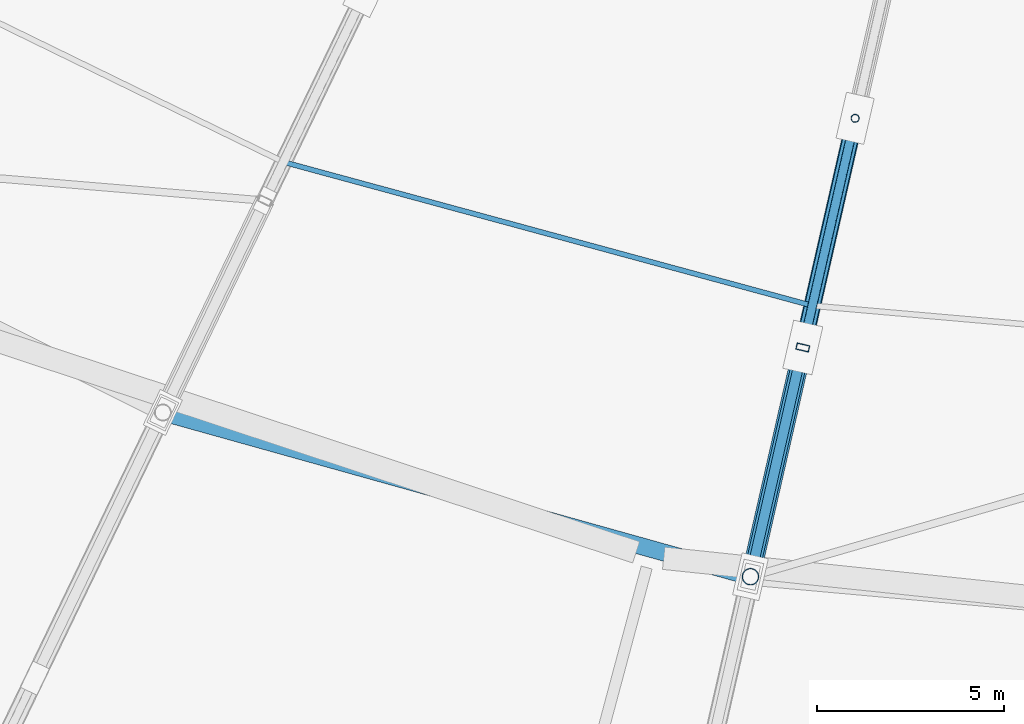
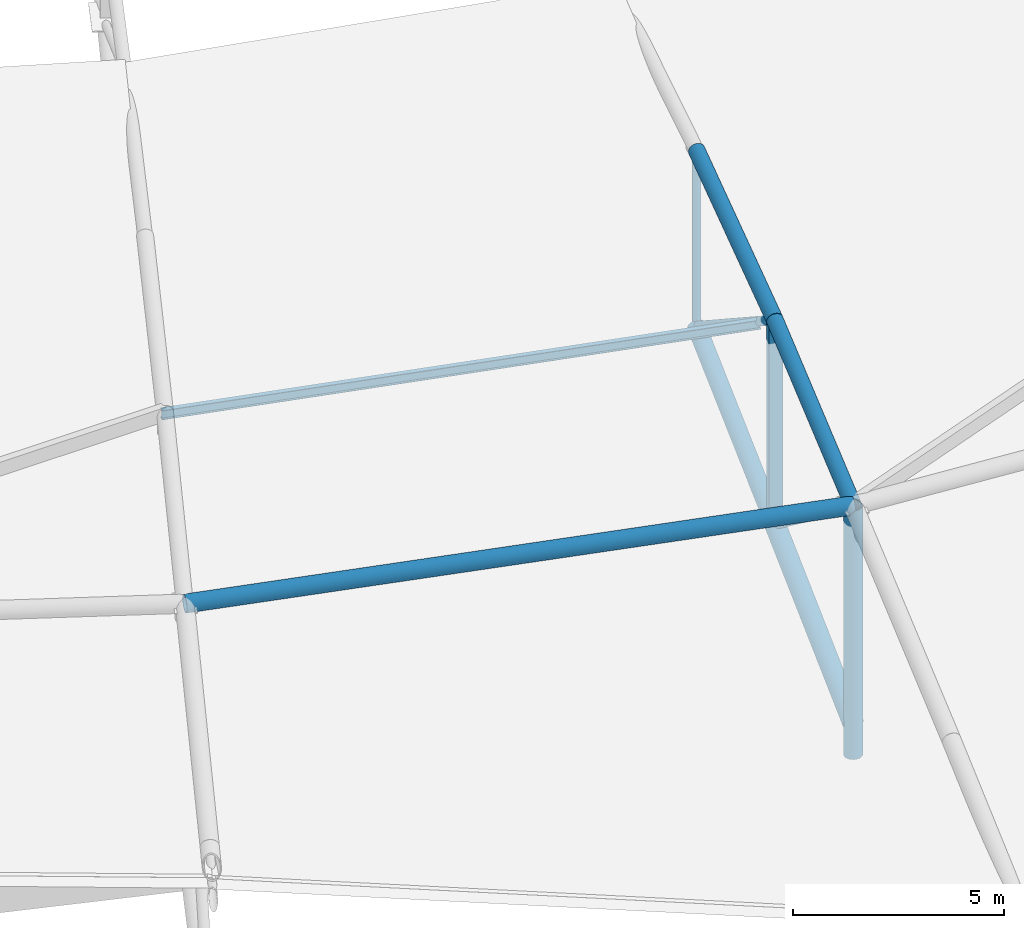
# One storey, part 14 of 108: 11 members.
"""IFC4 building model written with IfcOpenShell, lengths in metres."""

from ifc_helpers import new_model, si_unit, direction, frame, origin, origin_2d, place, context, subcontext, project, spatial, hollow_rectangle, hollow_circle, i_section, extrude, material, material_profile, profile_set, type_object, element, save


model = new_model("IFC4")

# Units and contexts
model_context = context("Model", 3, precision=1e-05, world=origin(), true_north=direction((0.0, 1.0)))
body_context = subcontext(model_context, "Body", "Model", "MODEL_VIEW")
ifc_project = project(units=[si_unit("LENGTHUNIT", "METRE"), si_unit("AREAUNIT", "SQUARE_METRE"), si_unit("VOLUMEUNIT", "CUBIC_METRE"), si_unit("PLANEANGLEUNIT", "RADIAN"), si_unit("MASSUNIT", "GRAM", prefix="KILO")], contexts=[model_context])

# Site, building, storey
site_placement = place(None, origin())
site = spatial("IfcSite", under=ifc_project, at=site_placement, CompositionType="ELEMENT")
building_placement = place(site_placement, origin())
building = spatial("IfcBuilding", under=site, at=building_placement, Name="Zevraka Park Crest Stadium", CompositionType="ELEMENT")
storey_placement = place(building_placement, frame((0.0, 0.0, 29.39990234375)))
storey = spatial("IfcBuildingStorey", under=building, at=storey_placement, Name="RF", CompositionType="ELEMENT", Elevation=29.39990234375)

# Members
ifc_material_1 = material(Name="Steel S355", Category="steel")
ifc_material_profile_1 = material_profile(ifc_material_1, i_section(OverallWidth=0.135009765625, OverallDepth=0.27001953125, WebThickness=0.006591796875, FlangeThickness=0.01025390625, at=origin_2d()), Name="IPE 270")
ifc_profile_set_1 = profile_set([ifc_material_profile_1], Name="Steel S355")
member_type_1 = type_object("IfcMemberType", Name="PR04", PredefinedType="PURLIN", material=ifc_profile_set_1)
member_1_placement = place(storey_placement, frame((82.907958984375, 45.10400390625, 7.488037109375), z_axis=(0.965023073694, -0.26216496188, 0.0), x_axis=(0.26216496188, 0.965023073694, 0.0)))
element("IfcMember", 1, at=member_1_placement, inside=storey, type_object=member_type_1, Name="Canopy Roof Purlin PR04 OUTER-20-2", PredefinedType="PURLIN", context=body_context, shape_type="SweptSolid", body=[
    extrude(i_section(OverallWidth=0.135009765625, OverallDepth=0.27001953125, WebThickness=0.006591796875, FlangeThickness=0.01025390625, at=origin_2d()), origin(), (0.0, 0.0, 1.0), 14.685791015625),
])
ifc_material_2 = material(Name="Steel S355", Category="steel")
ifc_material_profile_2 = material_profile(ifc_material_2, hollow_circle(Radius=0.25390625, WallThickness=0.030029296875, at=origin_2d()), Name="CHS 508.0x30")
ifc_profile_set_2 = profile_set([ifc_material_profile_2], Name="Steel S355")
member_type_2 = type_object("IfcMemberType", Name="TC01", PredefinedType="CHORD", material=ifc_profile_set_2)
member_2_placement = place(storey_placement, frame((95.422119140625, 33.991943359375, 0.900146484375), z_axis=(0.216071602528, 0.946696164472, 0.238913027595), x_axis=(-0.974929167571, 0.222515433667, 0.0)))
element("IfcMember", 2, at=member_2_placement, inside=storey, type_object=member_type_2, Name="Roof Truss Bottom Chord TC01 T21-3", PredefinedType="CHORD", context=body_context, shape_type="SweptSolid", body=[
    extrude(hollow_circle(Radius=0.25390625, WallThickness=0.030029296875, at=origin_2d()), origin(), (0.0, 0.0, 1.0), 6.488037109375),
])
ifc_material_3 = material(Name="Steel S355", Category="steel")
ifc_material_profile_3 = material_profile(ifc_material_3, hollow_circle(Radius=0.228515625, WallThickness=0.02490234375, at=origin_2d()), Name="CHS 457.0x25")
ifc_profile_set_3 = profile_set([ifc_material_profile_3], Name="Steel S355")
member_type_3 = type_object("IfcMemberType", Name="TC02", PredefinedType="CHORD", material=ifc_profile_set_3)
member_3_placement = place(storey_placement, frame((95.422119140625, 33.991943359375, 0.0), z_axis=(0.0, 0.0, 1.0), x_axis=(0.222569549971, 0.974916814618, 0.0)))
element("IfcMember", 3, at=member_3_placement, inside=storey, type_object=member_type_3, Name="Roof Truss Anchor Strut TC02 T21-2", PredefinedType="CHORD", context=body_context, shape_type="SweptSolid", body=[
    extrude(hollow_circle(Radius=0.228515625, WallThickness=0.02490234375, at=origin_2d()), origin(), (0.0, 0.0, 1.0), 7.2001953125),
])
member_4_placement = place(storey_placement, frame((96.823974609375, 40.134033203125, 2.4501953125), z_axis=(0.2165081374, 0.948405922439, 0.231625630539), x_axis=(-0.974918840686, 0.222560675043, 0.0)))
element("IfcMember", 4, at=member_4_placement, inside=storey, type_object=member_type_3, Name="Roof Truss Bottom Chord TC02 T21-4", PredefinedType="CHORD", context=body_context, shape_type="SweptSolid", body=[
    extrude(hollow_circle(Radius=0.228515625, WallThickness=0.02490234375, at=origin_2d()), origin(), (0.0, 0.0, 1.0), 6.47607421875),
])
member_5_placement = place(storey_placement, frame((79.676025390625, 38.39208984375, 7.2001953125), z_axis=(0.96310300545, -0.269133054255, 0.0), x_axis=(0.269133054255, 0.96310300545, 0.0)))
element("IfcMember", 5, at=member_5_placement, inside=storey, type_object=member_type_3, Name="Roof Main Bowl-Rim Ring Chord TC02 20", PredefinedType="CHORD", context=body_context, shape_type="SweptSolid", body=[
    extrude(hollow_circle(Radius=0.228515625, WallThickness=0.02490234375, at=origin_2d()), origin(), (0.0, 0.0, 1.0), 16.349365234375),
])
ifc_material_4 = material(Name="Steel S355", Category="steel")
ifc_material_profile_4 = material_profile(ifc_material_4, hollow_circle(Radius=0.203125, WallThickness=0.02001953125, at=origin_2d()), Name="CHS 406.4x20")
ifc_profile_set_4 = profile_set([ifc_material_profile_4], Name="Steel S355")
member_type_4 = type_object("IfcMemberType", Name="TC03", PredefinedType="CHORD", material=ifc_profile_set_4)
member_6_placement = place(storey_placement, frame((95.422119140625, 33.991943359375, 7.2001953125), z_axis=(0.21889903057, 0.959084258287, 0.179556676069), x_axis=(-0.974929167571, 0.222515433667, 0.0)))
element("IfcMember", 6, at=member_6_placement, inside=storey, type_object=member_type_4, Name="Roof Truss Top Chord TC03 T21-3", PredefinedType="CHORD", context=body_context, shape_type="SweptSolid", body=[
    extrude(hollow_circle(Radius=0.203125, WallThickness=0.02001953125, at=origin_2d()), origin(), (0.0, 0.0, 1.0), 6.404052734375),
])
member_7_placement = place(storey_placement, frame((96.823974609375, 40.134033203125, 8.35009765625), z_axis=(0.221199560267, 0.968956527537, 0.110426456432), x_axis=(-0.974918840686, 0.222560675043, 0.0)))
element("IfcMember", 7, at=member_7_placement, inside=storey, type_object=member_type_4, Name="Roof Truss Top Chord TC03 T21-4", PredefinedType="CHORD", context=body_context, shape_type="SweptSolid", body=[
    extrude(hollow_circle(Radius=0.203125, WallThickness=0.02001953125, at=origin_2d()), origin(), (0.0, 0.0, 1.0), 6.338623046875),
])
ifc_material_5 = material(Name="Steel S355", Category="steel")
ifc_material_profile_5 = material_profile(ifc_material_5, hollow_circle(Radius=0.136474609375, WallThickness=0.012451171875, at=origin_2d()), Name="CHS 273.0x12.5")
ifc_profile_set_5 = profile_set([ifc_material_profile_5], Name="Steel S355")
member_type_5 = type_object("IfcMemberType", Name="WB01", PredefinedType="BRACE", material=ifc_profile_set_5)
member_8_placement = place(storey_placement, frame((96.823974609375, 40.134033203125, 2.4501953125), z_axis=(-0.177673727956, -0.778459708798, 0.602023694029), x_axis=(0.974929167571, -0.222515433667, 0.0)))
element("IfcMember", 8, at=member_8_placement, inside=storey, type_object=member_type_5, Name="Roof Truss Web Diagonal WB01 T21-3", PredefinedType="BRACE", context=body_context, shape_type="SweptSolid", body=[
    extrude(hollow_circle(Radius=0.136474609375, WallThickness=0.012451171875, at=origin_2d()), origin(), (0.0, 0.0, 1.0), 7.89013671875),
])
ifc_material_6 = material(Name="Steel S355", Category="steel")
ifc_material_profile_6 = material_profile(ifc_material_6, hollow_circle(Radius=0.109619140625, WallThickness=0.010009765625, at=origin_2d()), Name="CHS 219.1x10")
ifc_profile_set_6 = profile_set([ifc_material_profile_6], Name="Steel S355")
member_type_6 = type_object("IfcMemberType", Name="WB02", PredefinedType="BRACE", material=ifc_profile_set_6)
member_9_placement = place(storey_placement, frame((98.22607421875, 46.27587890625, 3.9501953125), z_axis=(0.0, 0.0, 1.0), x_axis=(0.222569549971, 0.974916814618, 0.0)))
element("IfcMember", 9, at=member_9_placement, inside=storey, type_object=member_type_6, Name="Roof Truss Web Post WB02 T21-4", PredefinedType="BRACE", context=body_context, shape_type="SweptSolid", body=[
    extrude(hollow_circle(Radius=0.109619140625, WallThickness=0.010009765625, at=origin_2d()), origin(), (0.0, 0.0, 1.0), 5.099853515625),
])
ifc_material_7 = material(Name="Steel S355", Category="steel")
ifc_material_profile_7 = material_profile(ifc_material_7, hollow_circle(Radius=0.122314453125, WallThickness=0.012451171875, at=origin_2d()), Name="CHS 244.5x12.5")
ifc_profile_set_7 = profile_set([ifc_material_profile_7], Name="Steel S355")
member_type_7 = type_object("IfcMemberType", Name="WB07", PredefinedType="BRACE", material=ifc_profile_set_7)
member_10_placement = place(storey_placement, frame((98.22607421875, 46.27587890625, 3.9501953125), z_axis=(-0.182464706824, -0.799279928534, 0.572589055612), x_axis=(0.974918840686, -0.222560675043, 0.0)))
element("IfcMember", 10, at=member_10_placement, inside=storey, type_object=member_type_7, Name="Roof Truss Web Diagonal WB07 T21-4", PredefinedType="BRACE", context=body_context, shape_type="SweptSolid", body=[
    extrude(hollow_circle(Radius=0.122314453125, WallThickness=0.012451171875, at=origin_2d()), origin(), (0.0, 0.0, 1.0), 7.684326171875),
])
ifc_material_8 = material(Name="Steel S355", Category="steel")
ifc_material_profile_8 = material_profile(ifc_material_8, hollow_rectangle(XDim=0.175048828125, YDim=0.35009765625, WallThickness=0.012451171875, at=origin_2d()), Name="RHS 350x175x12.5")
ifc_profile_set_8 = profile_set([ifc_material_profile_8], Name="Steel S355")
member_type_8 = type_object("IfcMemberType", Name="WB09", PredefinedType="BRACE", material=ifc_profile_set_8)
member_11_placement = place(storey_placement, frame((96.823974609375, 40.134033203125, 2.4501953125), z_axis=(0.0, 0.0, 1.0), x_axis=(0.222569549971, 0.974916814618, 0.0)))
element("IfcMember", 11, at=member_11_placement, inside=storey, type_object=member_type_8, Name="Roof Truss Web Post WB09 T21-3", PredefinedType="BRACE", context=body_context, shape_type="SweptSolid", body=[
    extrude(hollow_rectangle(XDim=0.175048828125, YDim=0.35009765625, WallThickness=0.012451171875, at=origin_2d()), origin(), (0.0, 0.0, 1.0), 5.89990234375),
])

save(model, "model.ifc")
